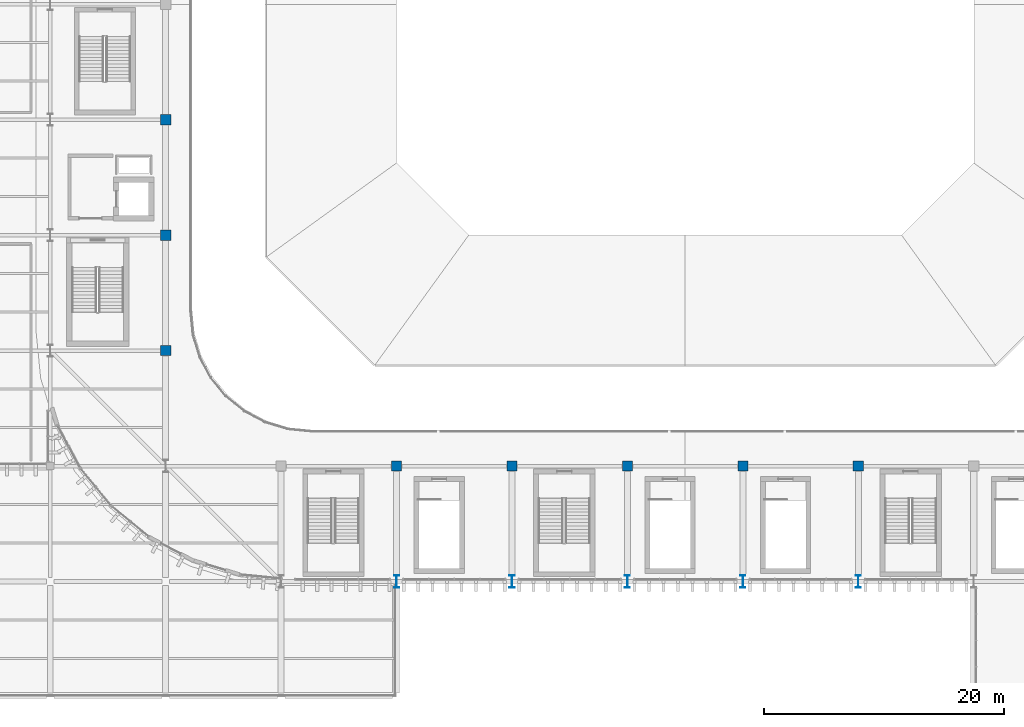
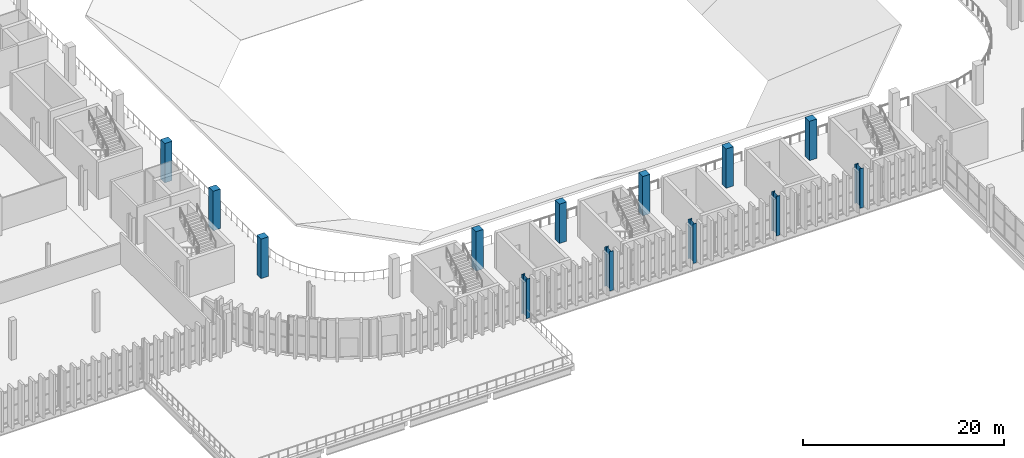
# One storey, part 5 of 99: 13 columns.
"""IFC4 building model written with IfcOpenShell, lengths in metres."""

import ifcopenshell
import ifcopenshell.guid

model = None  # the IFC model being written
_history = None  # IfcOwnerHistory: only IFC2X3 demands one
_inside = {}  # id of a spatial element -> (the spatial element, [elements in it])
_under = {}  # id of a project, library or spatial element -> (it, [spatial elements below it])
_declared = {}  # id of a project -> (the project, [libraries it declares])
_typed = {}  # id of a type object -> (the type object, [elements of that type])
_made_of = {}  # id of a material, layer set ... -> (it, [elements and type objects made of it])


def new_model(schema):
    """Start an empty IFC model of exactly this schema.

    Asked for "IFC4X3", IfcOpenShell would pick the latest addendum, in which some entities
    have other attributes; the version numbers below select the first issue.
    IFC2X3 requires an IfcOwnerHistory on every rooted entity: one is made here for all.
    """
    global model, _history
    if schema == "IFC4X3":
        model = ifcopenshell.file(schema_version=(4, 3, 0, 0))
    else:
        model = ifcopenshell.file(schema=schema)
    _inside.clear()
    _under.clear()
    _declared.clear()
    _typed.clear()
    _made_of.clear()
    _history = None
    if model.schema == "IFC2X3":
        org = make("IfcOrganization", Name="unknown")
        user = make(
            "IfcPersonAndOrganization",
            ThePerson=make("IfcPerson", FamilyName="unknown"),
            TheOrganization=org,
        )
        app = make(
            "IfcApplication",
            ApplicationDeveloper=org,
            Version="unknown",
            ApplicationFullName="unknown",
            ApplicationIdentifier="unknown",
        )
        _history = make(
            "IfcOwnerHistory",
            OwningUser=user,
            OwningApplication=app,
            ChangeAction="ADDED",
            CreationDate=0,
        )
    return model


def make(cls, **values):
    """One entity of the class cls with the attributes given. An attribute that is None is left unset."""
    return model.create_entity(
        cls, **{name: value for name, value in values.items() if value is not None}
    )


def rooted(cls, **values):
    """An entity with a GlobalId (a new one), such as an element, a storey or a relation."""
    return make(cls, GlobalId=ifcopenshell.guid.new(), OwnerHistory=_history, **values)


def si_unit(unit_type, name, prefix=None):
    """IfcSIUnit, for example si_unit("LENGTHUNIT", "METRE", prefix="MILLI")."""
    return make("IfcSIUnit", UnitType=unit_type, Prefix=prefix, Name=name)


def assignment(units):
    """IfcUnitAssignment: the units of a project."""
    return None if units is None else make("IfcUnitAssignment", Units=units)


def point(xyz):
    """IfcCartesianPoint."""
    return None if xyz is None else make("IfcCartesianPoint", Coordinates=xyz)


def direction(xyz):
    """IfcDirection."""
    return None if xyz is None else make("IfcDirection", DirectionRatios=xyz)


def frame(location, z_axis=None, x_axis=None):
    """IfcAxis2Placement3D, a coordinate frame: its origin and axes. An axis left out is left unset."""
    return make(
        "IfcAxis2Placement3D",
        Location=point(location),
        Axis=direction(z_axis),
        RefDirection=direction(x_axis),
    )


def frame_2d(location, x_axis=None):
    """IfcAxis2Placement2D, a coordinate frame in the plane: its origin and x axis."""
    return make(
        "IfcAxis2Placement2D", Location=point(location), RefDirection=direction(x_axis)
    )


def origin():
    """The frame at (0, 0, 0) with its axes left unset."""
    return frame((0.0, 0.0, 0.0))


def origin_2d():
    """The frame at (0, 0) in the plane with its x axis left unset."""
    return frame_2d((0.0, 0.0))


def place(relative_to, where):
    """IfcLocalPlacement: puts the frame where relative to a parent placement (None: the world)."""
    return make(
        "IfcLocalPlacement", PlacementRelTo=relative_to, RelativePlacement=where
    )


def context(
    kind, dimensions, precision=None, world=None, true_north=None, identifier=None
):
    """IfcGeometricRepresentationContext, for example the 3D "Model" context."""
    return make(
        "IfcGeometricRepresentationContext",
        ContextIdentifier=identifier,
        ContextType=kind,
        CoordinateSpaceDimension=dimensions,
        Precision=precision,
        WorldCoordinateSystem=world,
        TrueNorth=true_north,
    )


def subcontext(parent, identifier, kind, view, scale=None):
    """IfcGeometricRepresentationSubContext, for example "Body" below "Model"."""
    return make(
        "IfcGeometricRepresentationSubContext",
        ContextIdentifier=identifier,
        ContextType=kind,
        ParentContext=parent,
        TargetScale=scale,
        TargetView=view,
    )


def project(units=None, contexts=None):
    """IfcProject with its units and contexts."""
    return rooted(
        "IfcProject",
        Name="project",
        RepresentationContexts=contexts,
        UnitsInContext=assignment(units),
    )


def spatial(cls, under=None, at=None, **own):
    """A site, building, storey or space (cls), placed at a placement, below another one or the project."""
    s = rooted(cls, ObjectPlacement=at, **own)
    if under is not None:
        _under.setdefault(under.id(), (under, []))[1].append(s)
    return s


def profile(cls, at=None, kind="AREA", **sizes):
    """A parametric profile (cls). Its sizes go by their IFC names, for example OverallWidth=200.0."""
    return make(cls, ProfileType=kind, Position=at, **sizes)


def rectangle(**sizes):
    """IfcRectangleProfileDef."""
    return profile("IfcRectangleProfileDef", **sizes)


def i_section(**sizes):
    """IfcIShapeProfileDef."""
    return profile("IfcIShapeProfileDef", **sizes)


def extrude(swept, where, along, depth):
    """IfcExtrudedAreaSolid: the profile swept, set in the frame where, extruded along a direction by depth."""
    return make(
        "IfcExtrudedAreaSolid",
        SweptArea=swept,
        Position=where,
        ExtrudedDirection=direction(along),
        Depth=depth,
    )


def shape(context_of_items, identifier, shape_type, items):
    """IfcShapeRepresentation: the items that make up one representation, for example the "Body"."""
    return make(
        "IfcShapeRepresentation",
        ContextOfItems=context_of_items,
        RepresentationIdentifier=identifier,
        RepresentationType=shape_type,
        Items=items,
    )


def material(Name=None, Category=None):
    """IfcMaterial."""
    return make("IfcMaterial", Name=Name, Category=Category)


def material_profile(
    of_material, cross_section, Name=None, Category=None, Priority=None
):
    """IfcMaterialProfile: a cross section and its material."""
    return make(
        "IfcMaterialProfile",
        Name=Name,
        Material=of_material,
        Profile=cross_section,
        Priority=Priority,
        Category=Category,
    )


def profile_set(profiles, Name=None, composite=None):
    """IfcMaterialProfileSet."""
    return make(
        "IfcMaterialProfileSet",
        Name=Name,
        MaterialProfiles=profiles,
        CompositeProfile=composite,
    )


def made_of(thing, what):
    """Note that an element or type object is made of a material, layer set ...; save() writes the relation."""
    if what is not None:
        _made_of.setdefault(what.id(), (what, []))[1].append(thing)
    return thing


def type_object(cls, material=None, **own):
    """A type object (cls), such as IfcWallType, which elements share."""
    return made_of(rooted(cls, **own), material)


def element(
    cls,
    number,
    at=None,
    inside=None,
    cuts=None,
    type_object=None,
    material=None,
    context=None,
    identifier="Body",
    shape_type=None,
    held_by="IfcProductDefinitionShape",
    body=None,
    shapes=None,
    **own,
):
    """One element of the class cls, such as IfcWall. Its Tag is "e" and its number.

    at: its placement. inside: the storey or other place that contains it. cuts: it is an
    opening in that element (IfcRelVoidsElement). A single representation is given by context,
    identifier, shape_type and body (its items); several are given by shapes. held_by: the class
    of the entity that holds the representations. save() writes the other relations.
    """
    e = rooted(cls, Tag="e%d" % number, ObjectPlacement=at, **own)
    if body is not None:
        shapes = [shape(context, identifier, shape_type, body)]
    if shapes is not None:
        e.Representation = make(held_by, Representations=shapes)
    if inside is not None:
        _inside.setdefault(inside.id(), (inside, []))[1].append(e)
    if cuts is not None:
        rooted(
            "IfcRelVoidsElement", RelatingBuildingElement=cuts, RelatedOpeningElement=e
        )
    if type_object is not None:
        _typed.setdefault(type_object.id(), (type_object, []))[1].append(e)
    return made_of(e, material)


def aggregate(whole, parts):
    """IfcRelAggregates: a whole, such as a stair, and the parts it consists of."""
    return rooted("IfcRelAggregates", RelatingObject=whole, RelatedObjects=parts)


def save(model, path):
    """Write the relations noted so far, then the file.

    IfcRelAggregates (storeys below a building ...), IfcRelContainedInSpatialStructure (elements
    in a storey), IfcRelDefinesByType, IfcRelAssociatesMaterial and IfcRelDeclares: one each for
    every whole, place, type object, material and project.
    """
    for whole, parts in _under.values():
        aggregate(whole, parts)
    for where, things in _inside.values():
        rooted(
            "IfcRelContainedInSpatialStructure",
            RelatedElements=things,
            RelatingStructure=where,
        )
    for kind, things in _typed.values():
        rooted("IfcRelDefinesByType", RelatedObjects=things, RelatingType=kind)
    for what, things in _made_of.values():
        rooted("IfcRelAssociatesMaterial", RelatedObjects=things, RelatingMaterial=what)
    for by, libraries in _declared.values():
        rooted("IfcRelDeclares", RelatingContext=by, RelatedDefinitions=libraries)
    model.write(path)


model = new_model("IFC4")

# Units and contexts
model_context = context("Model", 3, precision=1e-05, world=origin(), true_north=direction((0.0, 1.0)))
body_context = subcontext(model_context, "Body", "Model", "MODEL_VIEW")
ifc_project = project(units=[si_unit("LENGTHUNIT", "METRE"), si_unit("AREAUNIT", "SQUARE_METRE"), si_unit("VOLUMEUNIT", "CUBIC_METRE"), si_unit("PLANEANGLEUNIT", "RADIAN"), si_unit("MASSUNIT", "GRAM", prefix="KILO")], contexts=[model_context])

# Site, building, storey
site_placement = place(None, origin())
site = spatial("IfcSite", under=ifc_project, at=site_placement, CompositionType="ELEMENT")
building_placement = place(site_placement, origin())
building = spatial("IfcBuilding", under=site, at=building_placement, Name="Caelomonte Colonnade Arena", CompositionType="ELEMENT")
storey_placement = place(building_placement, frame((0.0, 0.0, 4.800048828125)))
storey = spatial("IfcBuildingStorey", under=building, at=storey_placement, Name="L01", CompositionType="ELEMENT", Elevation=4.800048828125)

# Columns
ifc_material_1 = material(Name="Concrete C50/60", Category="concrete")
ifc_material_profile_1 = material_profile(ifc_material_1, rectangle(XDim=0.85009765625, YDim=0.85009765625, at=origin_2d()), Name="RC850X850")
ifc_profile_set_1 = profile_set([ifc_material_profile_1], Name="Concrete C50/60")
column_type_1 = type_object("IfcColumnType", Name="STR-COL-RC85", PredefinedType="COLUMN", material=ifc_profile_set_1)
for number, where, z_axis, x_axis, name in (
    (1, (67.199951171875, 38.39990234375, 0.0), (0.0, 0.0, 1.0), (1.0, 0.0, 0.0), "L01 column (67.2, 38.4)"),
    (2, (67.199951171875, 48.0, 0.0), (0.0, 0.0, 1.0), (1.0, 0.0, 0.0), "L01 column (67.2, 48.0)"),
    (3, (67.199951171875, 57.60009765625, 0.0), (0.0, 0.0, 1.0), (1.0, 0.0, 0.0), "L01 column (67.2, 57.6)"),
    (4, (86.39990234375, 28.800048828125, 0.0), (0.0, 0.0, 1.0), (1.0, 0.0, 0.0), "L01 column (86.4, 28.8)"),
    (5, (96.0, 28.800048828125, 0.0), (0.0, 0.0, 1.0), (1.0, 0.0, 0.0), "L01 column (96.0, 28.8)"),
    (6, (105.60009765625, 28.800048828125, 0.0), (0.0, 0.0, 1.0), (1.0, 0.0, 0.0), "L01 column (105.6, 28.8)"),
    (7, (115.199951171875, 28.800048828125, 0.0), (0.0, 0.0, 1.0), (1.0, 0.0, 0.0), "L01 column (115.2, 28.8)"),
    (8, (124.800048828125, 28.800048828125, 0.0), (0.0, 0.0, 1.0), (1.0, 0.0, 0.0), "L01 column (124.8, 28.8)"),
):
    element("IfcColumn", number, at=place(storey_placement, frame(where, z_axis=z_axis, x_axis=x_axis)), inside=storey, type_object=column_type_1, Name=name, PredefinedType="COLUMN", context=body_context, shape_type="SweptSolid", body=[
        extrude(rectangle(XDim=0.85009765625, YDim=0.85009765625, at=origin_2d()), origin(), (0.0, 0.0, 1.0), 4.800048828125),
    ])
ifc_material_2 = material(Name="Wide-flange steel ASTM A992 Grade 50", Category="steel")
ifc_material_profile_2 = material_profile(ifc_material_2, i_section(OverallWidth=0.419189453125, OverallDepth=1.010986328125, WebThickness=0.023681640625, FlangeThickness=0.0419921875, FilletRadius=0.030517578125, at=origin_2d()), Name="W40X297")
ifc_profile_set_2 = profile_set([ifc_material_profile_2], Name="Wide-flange steel ASTM A992 Grade 50")
column_type_2 = type_object("IfcColumnType", Name="STR-COL-W40B", PredefinedType="COLUMN", material=ifc_profile_set_2)
for number, where, z_axis, x_axis, name in (
    (9, (86.39990234375, 19.199951171875, 0.0), (0.0, 0.0, 1.0), (1.0, 0.0, 0.0), "L01 column (86.4, 19.2)"),
    (10, (96.0, 19.199951171875, 0.0), (0.0, 0.0, 1.0), (1.0, 0.0, 0.0), "L01 column (96.0, 19.2)"),
    (11, (105.60009765625, 19.199951171875, 0.0), (0.0, 0.0, 1.0), (1.0, 0.0, 0.0), "L01 column (105.6, 19.2)"),
    (12, (115.199951171875, 19.199951171875, 0.0), (0.0, 0.0, 1.0), (1.0, 0.0, 0.0), "L01 column (115.2, 19.2)"),
    (13, (124.800048828125, 19.199951171875, 0.0), (0.0, 0.0, 1.0), (1.0, 0.0, 0.0), "L01 column (124.8, 19.2)"),
):
    element("IfcColumn", number, at=place(storey_placement, frame(where, z_axis=z_axis, x_axis=x_axis)), inside=storey, type_object=column_type_2, Name=name, PredefinedType="COLUMN", context=body_context, shape_type="SweptSolid", body=[
        extrude(i_section(OverallWidth=0.419189453125, OverallDepth=1.010986328125, WebThickness=0.023681640625, FlangeThickness=0.0419921875, FilletRadius=0.030517578125, at=origin_2d()), origin(), (0.0, 0.0, 1.0), 4.800048828125),
    ])

save(model, "model.ifc")
